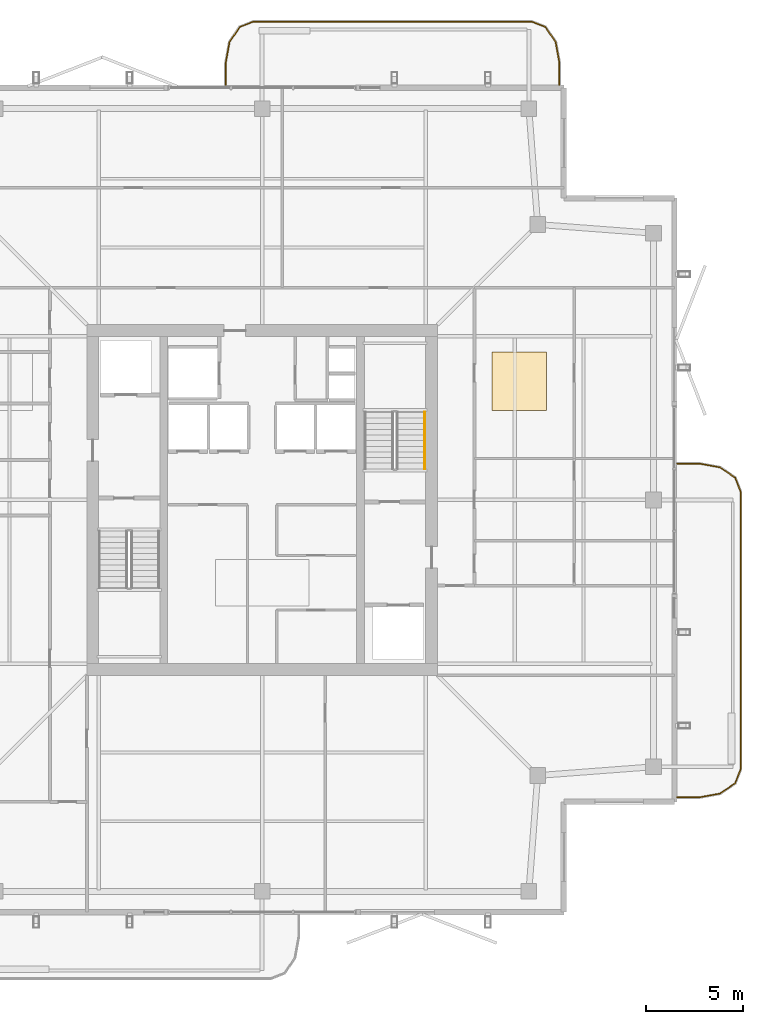
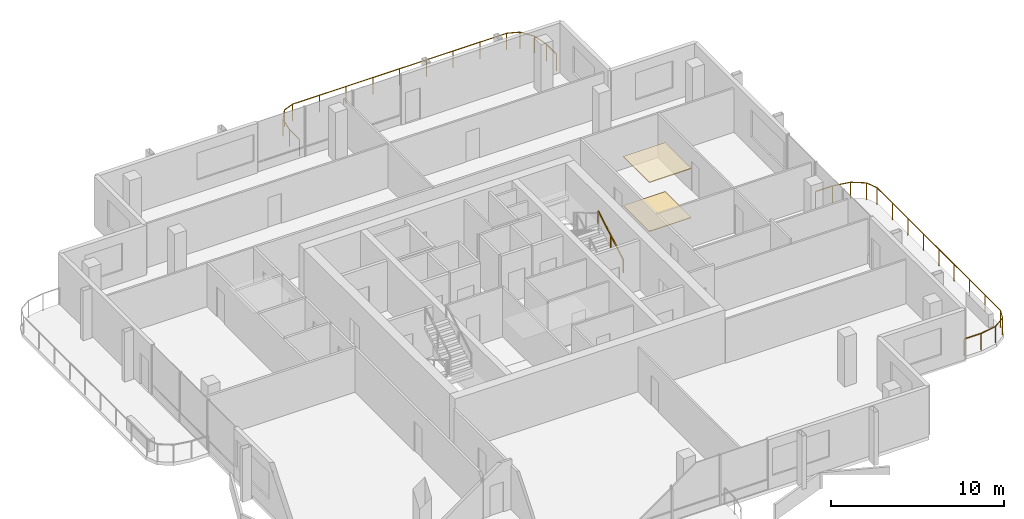
# One storey, part 22 of 22: 3 railings, 2 coverings.
"""IFC4 building model written with IfcOpenShell, lengths in metres."""

from ifc_helpers import new_model, si_unit, direction, frame, origin, origin_2d, place, context, subcontext, project, spatial, polyline, rectangle, outline, extrude, material, layer, layer_set, type_object, element, save


model = new_model("IFC4")

# Units and contexts
model_context = context("Model", 3, precision=1e-05, world=origin(), true_north=direction((0.0, 1.0)))
body_context = subcontext(model_context, "Body", "Model", "MODEL_VIEW")
ifc_project = project(units=[si_unit("LENGTHUNIT", "METRE"), si_unit("AREAUNIT", "SQUARE_METRE"), si_unit("VOLUMEUNIT", "CUBIC_METRE"), si_unit("PLANEANGLEUNIT", "RADIAN"), si_unit("MASSUNIT", "GRAM", prefix="KILO")], contexts=[model_context])

# Site, building, storey
site_placement = place(None, origin())
site = spatial("IfcSite", under=ifc_project, at=site_placement, CompositionType="ELEMENT")
building_placement = place(site_placement, origin())
building = spatial("IfcBuilding", under=site, at=building_placement, Name="Belovzor Exchange Tower", CompositionType="ELEMENT")
storey_placement = place(building_placement, frame((0.0, 0.0, 348.0)))
storey = spatial("IfcBuildingStorey", under=building, at=storey_placement, Name="L87", CompositionType="ELEMENT", Elevation=348.0)

# Railings
ifc_material_1 = material(Name="Stainless Steel Grade 304", Category="steel")
railing_type_1 = type_object("IfcRailingType", Name="Brushed Stainless Steel Stair Handrail 900", PredefinedType="HANDRAIL", material=ifc_material_1)
railing_1_placement = place(storey_placement, frame((37.14990234375, 30.39990234375, 0.17041015625)))
element("IfcRailing", 1, at=railing_1_placement, inside=storey, type_object=railing_type_1, Name="L87 ST-2 stair handrail 1", PredefinedType="HANDRAIL", context=body_context, shape_type="SweptSolid", body=[
    extrude(rectangle(XDim=0.048095703125, YDim=0.048095703125, at=origin_2d()), frame((0.0, 0.0, 0.8759765625), z_axis=(0.0, 0.862113265706, 0.506715617574), x_axis=(-1.0, 0.0, 0.0)), (0.0, 0.0, 1.0), 3.364013671875),
    extrude(rectangle(XDim=0.0419921875, YDim=0.0419921875, at=origin_2d()), origin(), (0.0, 0.0, 1.0), 0.851806640625),
    extrude(rectangle(XDim=0.0419921875, YDim=0.0419921875, at=origin_2d()), frame((0.0, 1.4501953125, 0.852294921875)), (0.0, 0.0, 1.0), 0.851806640625),
    extrude(rectangle(XDim=0.0419921875, YDim=0.0419921875, at=origin_2d()), frame((0.0, 2.900146484375, 1.70458984375)), (0.0, 0.0, 1.0), 0.851806640625),
])
ifc_material_2 = material(Name="Stainless Steel and Laminated Safety Glass", Category="steel")
railing_type_2 = type_object("IfcRailingType", Name="Laminated Glass & Stainless Steel Balcony Balustrade 1200", PredefinedType="BALUSTRADE", material=ifc_material_2)
railing_2_placement = place(storey_placement, frame((44.070068359375, 50.110107421875, 0.0)))
element("IfcRailing", 2, at=railing_2_placement, inside=storey, type_object=railing_type_2, Name="GR-1 Balcony Balustrade L87 North", PredefinedType="BALUSTRADE", context=body_context, shape_type="SweptSolid", body=[
    extrude(rectangle(XDim=0.048095703125, YDim=0.048095703125, at=origin_2d()), frame((0.0, 0.0, 1.17578125), z_axis=(0.0, 1.0, 0.0), x_axis=(-1.0, 0.0, 0.0)), (0.0, 0.0, 1.0), 1.1328125),
    extrude(rectangle(XDim=0.048095703125, YDim=0.048095703125, at=origin_2d()), frame((0.0, 1.1328125, 1.17578125), z_axis=(-0.180083182347, 0.983651385113, 0.0), x_axis=(-0.983651385113, -0.180083182347, 0.0)), (0.0, 0.0, 1.0), 1.093994140625),
    extrude(rectangle(XDim=0.048095703125, YDim=0.048095703125, at=origin_2d()), frame((-0.197021484375, 2.208984375, 1.17578125), z_axis=(-0.56294695933, 0.826493025367, 0.0), x_axis=(-0.826493025367, -0.56294695933, 0.0)), (0.0, 0.0, 1.0), 0.932861328125),
    extrude(rectangle(XDim=0.048095703125, YDim=0.048095703125, at=origin_2d()), frame((-0.72216796875, 2.97998046875, 1.17578125), z_axis=(-0.930766990125, 0.365612923861, 0.0), x_axis=(-0.365612923861, -0.930766990125, 0.0)), (0.0, 0.0, 1.0), 0.765869140625),
    extrude(rectangle(XDim=0.048095703125, YDim=0.048095703125, at=origin_2d()), frame((-1.43505859375, 3.260009765625, 1.17578125), z_axis=(-1.0, 0.0, 0.0), x_axis=(0.0, -1.0, 0.0)), (0.0, 0.0, 1.0), 14.27001953125),
    extrude(rectangle(XDim=0.048095703125, YDim=0.048095703125, at=origin_2d()), frame((-15.705078125, 3.260009765625, 1.17578125), z_axis=(-0.930766990125, -0.365612923861, 0.0), x_axis=(0.365612923861, -0.930766990125, 0.0)), (0.0, 0.0, 1.0), 0.765869140625),
    extrude(rectangle(XDim=0.048095703125, YDim=0.048095703125, at=origin_2d()), frame((-16.41796875, 2.97998046875, 1.17578125), z_axis=(-0.56294695933, -0.826493025367, 0.0), x_axis=(0.826493025367, -0.56294695933, 0.0)), (0.0, 0.0, 1.0), 0.932861328125),
    extrude(rectangle(XDim=0.048095703125, YDim=0.048095703125, at=origin_2d()), frame((-16.943115234375, 2.208984375, 1.17578125), z_axis=(-0.180083182347, -0.983651385113, 0.0), x_axis=(0.983651385113, -0.180083182347, 0.0)), (0.0, 0.0, 1.0), 1.093994140625),
    extrude(rectangle(XDim=0.048095703125, YDim=0.048095703125, at=origin_2d()), frame((-17.14013671875, 1.1328125, 1.17578125), z_axis=(0.0, -1.0, 0.0), x_axis=(1.0, 0.0, 0.0)), (0.0, 0.0, 1.0), 1.1328125),
    extrude(rectangle(XDim=0.0419921875, YDim=0.0419921875, at=origin_2d()), origin(), (0.0, 0.0, 1.0), 1.15185546875),
    extrude(rectangle(XDim=0.0419921875, YDim=0.0419921875, at=origin_2d()), frame((0.0, 1.1328125, 0.0)), (0.0, 0.0, 1.0), 1.15185546875),
    extrude(rectangle(XDim=0.0419921875, YDim=0.0419921875, at=origin_2d()), frame((-0.197021484375, 2.208984375, 0.0)), (0.0, 0.0, 1.0), 1.15185546875),
    extrude(rectangle(XDim=0.0419921875, YDim=0.0419921875, at=origin_2d()), frame((-0.72216796875, 2.97998046875, 0.0)), (0.0, 0.0, 1.0), 1.15185546875),
    extrude(rectangle(XDim=0.0419921875, YDim=0.0419921875, at=origin_2d()), frame((-1.43505859375, 3.260009765625, 0.0)), (0.0, 0.0, 1.0), 1.15185546875),
    extrude(rectangle(XDim=0.0419921875, YDim=0.0419921875, at=origin_2d()), frame((-3.21875, 3.260009765625, 0.0)), (0.0, 0.0, 1.0), 1.15185546875),
    extrude(rectangle(XDim=0.0419921875, YDim=0.0419921875, at=origin_2d()), frame((-5.00244140625, 3.260009765625, 0.0)), (0.0, 0.0, 1.0), 1.15185546875),
    extrude(rectangle(XDim=0.0419921875, YDim=0.0419921875, at=origin_2d()), frame((-6.786376953125, 3.260009765625, 0.0)), (0.0, 0.0, 1.0), 1.15185546875),
    extrude(rectangle(XDim=0.0419921875, YDim=0.0419921875, at=origin_2d()), frame((-8.570068359375, 3.260009765625, 0.0)), (0.0, 0.0, 1.0), 1.15185546875),
    extrude(rectangle(XDim=0.0419921875, YDim=0.0419921875, at=origin_2d()), frame((-10.353759765625, 3.260009765625, 0.0)), (0.0, 0.0, 1.0), 1.15185546875),
    extrude(rectangle(XDim=0.0419921875, YDim=0.0419921875, at=origin_2d()), frame((-12.1376953125, 3.260009765625, 0.0)), (0.0, 0.0, 1.0), 1.15185546875),
    extrude(rectangle(XDim=0.0419921875, YDim=0.0419921875, at=origin_2d()), frame((-13.92138671875, 3.260009765625, 0.0)), (0.0, 0.0, 1.0), 1.15185546875),
    extrude(rectangle(XDim=0.0419921875, YDim=0.0419921875, at=origin_2d()), frame((-15.705078125, 3.260009765625, 0.0)), (0.0, 0.0, 1.0), 1.15185546875),
    extrude(rectangle(XDim=0.0419921875, YDim=0.0419921875, at=origin_2d()), frame((-16.41796875, 2.97998046875, 0.0)), (0.0, 0.0, 1.0), 1.15185546875),
    extrude(rectangle(XDim=0.0419921875, YDim=0.0419921875, at=origin_2d()), frame((-16.943115234375, 2.208984375, 0.0)), (0.0, 0.0, 1.0), 1.15185546875),
    extrude(rectangle(XDim=0.0419921875, YDim=0.0419921875, at=origin_2d()), frame((-17.14013671875, 1.1328125, 0.0)), (0.0, 0.0, 1.0), 1.15185546875),
    extrude(rectangle(XDim=0.0419921875, YDim=0.0419921875, at=origin_2d()), frame((-17.14013671875, 0.0, 0.0)), (0.0, 0.0, 1.0), 1.15185546875),
])
railing_3_placement = place(storey_placement, frame((50.110107421875, 13.530029296875, 0.0)))
element("IfcRailing", 3, at=railing_3_placement, inside=storey, type_object=railing_type_2, Name="GR-1 Balcony Balustrade L87 East", PredefinedType="BALUSTRADE", context=body_context, shape_type="SweptSolid", body=[
    extrude(rectangle(XDim=0.048095703125, YDim=0.048095703125, at=origin_2d()), frame((0.0, 0.0, 1.17578125), z_axis=(1.0, 0.0, 0.0), x_axis=(0.0, 1.0, 0.0)), (0.0, 0.0, 1.0), 1.1328125),
    extrude(rectangle(XDim=0.048095703125, YDim=0.048095703125, at=origin_2d()), frame((1.1328125, 0.0, 1.17578125), z_axis=(0.983651385113, 0.180083182347, 0.0), x_axis=(-0.180083182347, 0.983651385113, 0.0)), (0.0, 0.0, 1.0), 1.093994140625),
    extrude(rectangle(XDim=0.048095703125, YDim=0.048095703125, at=origin_2d()), frame((2.208984375, 0.197021484375, 1.17578125), z_axis=(0.826614792125, 0.562768145367, 0.0), x_axis=(-0.562768145367, 0.826614792125, 0.0)), (0.0, 0.0, 1.0), 0.9326171875),
    extrude(rectangle(XDim=0.048095703125, YDim=0.048095703125, at=origin_2d()), frame((2.97998046875, 0.721923828125, 1.17578125), z_axis=(0.365504480807, 0.930809580156, 0.0), x_axis=(-0.930809580156, 0.365504480807, 0.0)), (0.0, 0.0, 1.0), 0.76611328125),
    extrude(rectangle(XDim=0.048095703125, YDim=0.048095703125, at=origin_2d()), frame((3.260009765625, 1.43505859375, 1.17578125), z_axis=(0.0, 1.0, 0.0), x_axis=(-1.0, 0.0, 0.0)), (0.0, 0.0, 1.0), 14.27001953125),
    extrude(rectangle(XDim=0.048095703125, YDim=0.048095703125, at=origin_2d()), frame((3.260009765625, 15.705078125, 1.17578125), z_axis=(-0.365612923861, 0.930766990125, 0.0), x_axis=(-0.930766990125, -0.365612923861, 0.0)), (0.0, 0.0, 1.0), 0.765869140625),
    extrude(rectangle(XDim=0.048095703125, YDim=0.048095703125, at=origin_2d()), frame((2.97998046875, 16.41796875, 1.17578125), z_axis=(-0.826614792125, 0.562768145367, 0.0), x_axis=(-0.562768145367, -0.826614792125, 0.0)), (0.0, 0.0, 1.0), 0.9326171875),
    extrude(rectangle(XDim=0.048095703125, YDim=0.048095703125, at=origin_2d()), frame((2.208984375, 16.94287109375, 1.17578125), z_axis=(-0.983651385113, 0.180083182347, 0.0), x_axis=(-0.180083182347, -0.983651385113, 0.0)), (0.0, 0.0, 1.0), 1.093994140625),
    extrude(rectangle(XDim=0.048095703125, YDim=0.048095703125, at=origin_2d()), frame((1.1328125, 17.139892578125, 1.17578125), z_axis=(-1.0, 0.0, 0.0), x_axis=(0.0, -1.0, 0.0)), (0.0, 0.0, 1.0), 1.1328125),
    extrude(rectangle(XDim=0.0419921875, YDim=0.0419921875, at=origin_2d()), origin(), (0.0, 0.0, 1.0), 1.15185546875),
    extrude(rectangle(XDim=0.0419921875, YDim=0.0419921875, at=origin_2d()), frame((1.1328125, 0.0, 0.0)), (0.0, 0.0, 1.0), 1.15185546875),
    extrude(rectangle(XDim=0.0419921875, YDim=0.0419921875, at=origin_2d()), frame((2.208984375, 0.197021484375, 0.0)), (0.0, 0.0, 1.0), 1.15185546875),
    extrude(rectangle(XDim=0.0419921875, YDim=0.0419921875, at=origin_2d()), frame((2.97998046875, 0.721923828125, 0.0)), (0.0, 0.0, 1.0), 1.15185546875),
    extrude(rectangle(XDim=0.0419921875, YDim=0.0419921875, at=origin_2d()), frame((3.260009765625, 1.43505859375, 0.0)), (0.0, 0.0, 1.0), 1.15185546875),
    extrude(rectangle(XDim=0.0419921875, YDim=0.0419921875, at=origin_2d()), frame((3.260009765625, 3.21875, 0.0)), (0.0, 0.0, 1.0), 1.15185546875),
    extrude(rectangle(XDim=0.0419921875, YDim=0.0419921875, at=origin_2d()), frame((3.260009765625, 5.00244140625, 0.0)), (0.0, 0.0, 1.0), 1.15185546875),
    extrude(rectangle(XDim=0.0419921875, YDim=0.0419921875, at=origin_2d()), frame((3.260009765625, 6.786376953125, 0.0)), (0.0, 0.0, 1.0), 1.15185546875),
    extrude(rectangle(XDim=0.0419921875, YDim=0.0419921875, at=origin_2d()), frame((3.260009765625, 8.570068359375, 0.0)), (0.0, 0.0, 1.0), 1.15185546875),
    extrude(rectangle(XDim=0.0419921875, YDim=0.0419921875, at=origin_2d()), frame((3.260009765625, 10.353759765625, 0.0)), (0.0, 0.0, 1.0), 1.15185546875),
    extrude(rectangle(XDim=0.0419921875, YDim=0.0419921875, at=origin_2d()), frame((3.260009765625, 12.1376953125, 0.0)), (0.0, 0.0, 1.0), 1.15185546875),
    extrude(rectangle(XDim=0.0419921875, YDim=0.0419921875, at=origin_2d()), frame((3.260009765625, 13.92138671875, 0.0)), (0.0, 0.0, 1.0), 1.15185546875),
    extrude(rectangle(XDim=0.0419921875, YDim=0.0419921875, at=origin_2d()), frame((3.260009765625, 15.705078125, 0.0)), (0.0, 0.0, 1.0), 1.15185546875),
    extrude(rectangle(XDim=0.0419921875, YDim=0.0419921875, at=origin_2d()), frame((2.97998046875, 16.41796875, 0.0)), (0.0, 0.0, 1.0), 1.15185546875),
    extrude(rectangle(XDim=0.0419921875, YDim=0.0419921875, at=origin_2d()), frame((2.208984375, 16.94287109375, 0.0)), (0.0, 0.0, 1.0), 1.15185546875),
    extrude(rectangle(XDim=0.0419921875, YDim=0.0419921875, at=origin_2d()), frame((1.1328125, 17.139892578125, 0.0)), (0.0, 0.0, 1.0), 1.15185546875),
    extrude(rectangle(XDim=0.0419921875, YDim=0.0419921875, at=origin_2d()), frame((0.0, 17.139892578125, 0.0)), (0.0, 0.0, 1.0), 1.15185546875),
])

# Coverings
ifc_material_3 = material(Name="Perforated Powder-Coated Aluminium", Category="aluminium")
ifc_layer_1 = layer(ifc_material_3, 0.06005859375)
ifc_layer_set_1 = layer_set([ifc_layer_1], Name="Perforated Powder-Coated Aluminium")
covering_type_1 = type_object("IfcCoveringType", Name="Perforated Acoustic Metal Tile Suspended Ceiling 60", PredefinedType="CEILING", material=ifc_layer_set_1)
covering_1_placement = place(storey_placement, frame((0.0, 0.0, 3.449951171875)))
element("IfcCovering", 4, at=covering_1_placement, inside=storey, type_object=covering_type_1, Name="CLG-AC60 Suspended Ceiling CLG-L87-Z2", PredefinedType="CEILING", context=body_context, shape_type="SweptSolid", body=[
    extrude(outline(polyline([(40.60009765625, 33.39990234375), (43.39990234375, 33.39990234375), (43.39990234375, 36.39990234375), (40.60009765625, 36.39990234375), (40.60009765625, 33.39990234375)])), origin(), (0.0, 0.0, 1.0), 0.06005859375),
])
ifc_material_4 = material(Name="Polished Natural Granite Tile", Category="masonry")
ifc_layer_2 = layer(ifc_material_4, 0.050048828125)
ifc_layer_set_2 = layer_set([ifc_layer_2], Name="Polished Natural Granite Tile")
covering_type_2 = type_object("IfcCoveringType", Name="Polished Karelian Granite & Raised Access Floor Finish 50", PredefinedType="FLOORING", material=ifc_layer_set_2)
covering_2_placement = place(storey_placement, origin())
element("IfcCovering", 5, at=covering_2_placement, inside=storey, type_object=covering_type_2, Name="FLR-GR50 Floor Finish FLR-L87-Z2", PredefinedType="FLOORING", context=body_context, shape_type="SweptSolid", body=[
    extrude(outline(polyline([(40.60009765625, 33.39990234375), (43.39990234375, 33.39990234375), (43.39990234375, 36.39990234375), (40.60009765625, 36.39990234375), (40.60009765625, 33.39990234375)])), origin(), (0.0, 0.0, 1.0), 0.050048828125),
])

save(model, "model.ifc")
